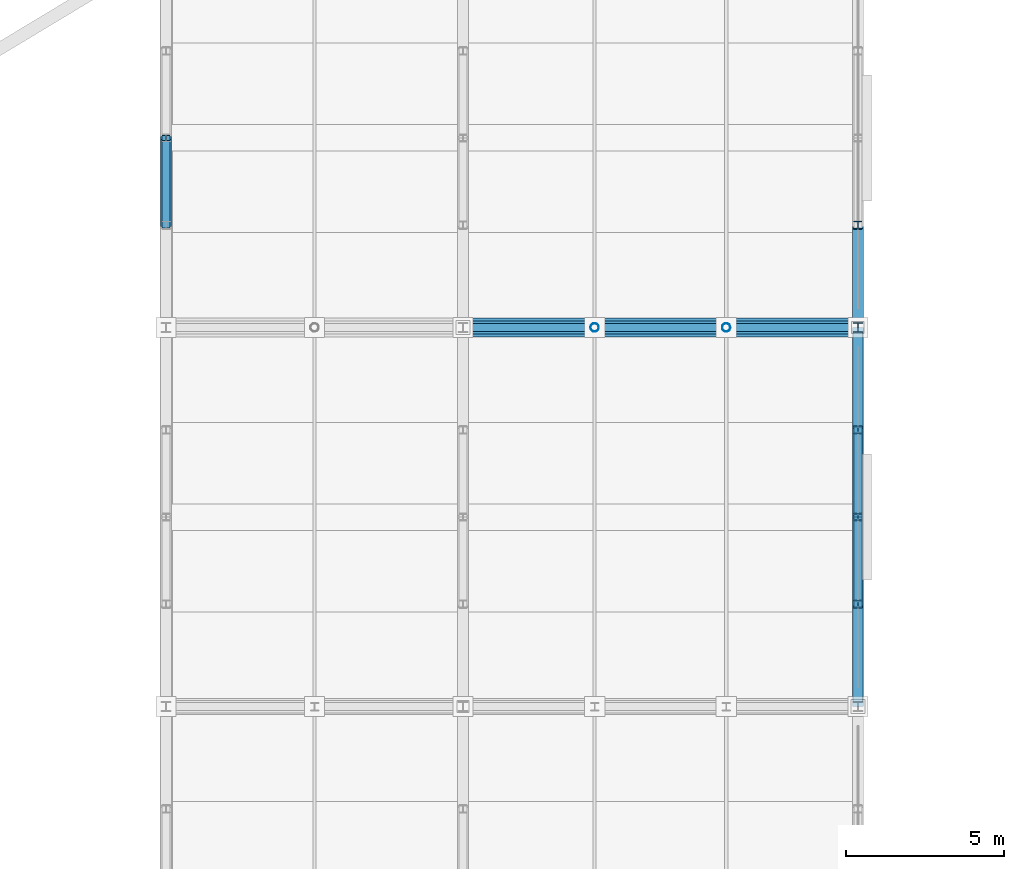
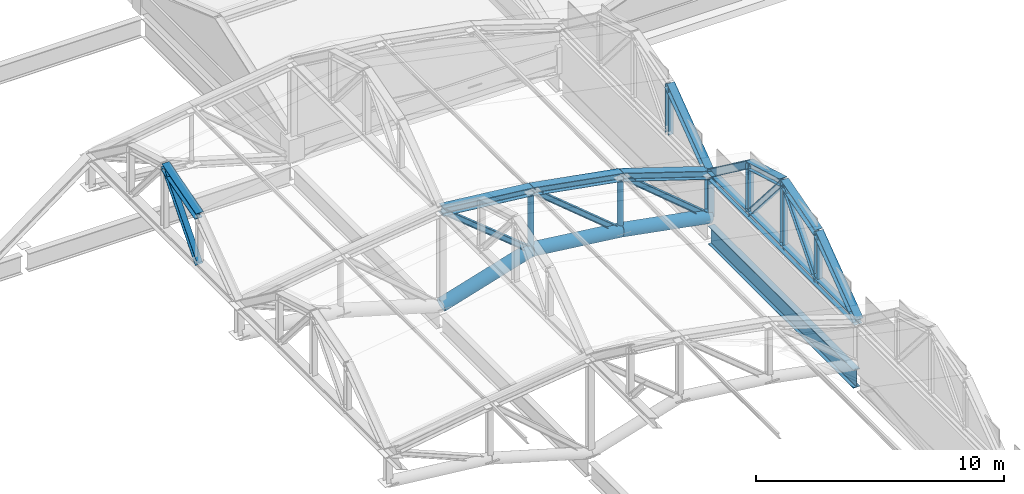
# One storey, part 73 of 117: 26 members, 1 beam.
"""IFC4 building model written with IfcOpenShell, lengths in metres."""

from ifc_helpers import new_model, si_unit, direction, frame, origin, origin_2d, place, context, subcontext, project, spatial, hollow_circle, i_section, extrude, material, material_profile, profile_set, type_object, element, save


model = new_model("IFC4")

# Units and contexts
model_context = context("Model", 3, precision=1e-05, world=origin(), true_north=direction((0.0, 1.0)))
body_context = subcontext(model_context, "Body", "Model", "MODEL_VIEW")
ifc_project = project(units=[si_unit("LENGTHUNIT", "METRE"), si_unit("AREAUNIT", "SQUARE_METRE"), si_unit("VOLUMEUNIT", "CUBIC_METRE"), si_unit("PLANEANGLEUNIT", "RADIAN"), si_unit("MASSUNIT", "GRAM", prefix="KILO")], contexts=[model_context])

# Site, building, storey
site_placement = place(None, origin())
site = spatial("IfcSite", under=ifc_project, at=site_placement, CompositionType="ELEMENT")
building_placement = place(site_placement, origin())
building = spatial("IfcBuilding", under=site, at=building_placement, Name="Kazenohara Klinker Stadium", CompositionType="ELEMENT")
storey_placement = place(building_placement, frame((0.0, 0.0, 31.199951171875)))
storey = spatial("IfcBuildingStorey", under=building, at=storey_placement, Name="RF", CompositionType="ELEMENT", Elevation=31.199951171875)

# Members
ifc_material = material(Name="Steel S355", Category="steel")
ifc_material_profile_1 = material_profile(ifc_material, i_section(OverallWidth=0.25, OverallDepth=0.25, WebThickness=0.009033203125, FlangeThickness=0.013916015625, FilletRadius=0.012939453125, at=origin_2d()), Name="H-250x250x9x14")
ifc_profile_set_1 = profile_set([ifc_material_profile_1], Name="Steel S355")
member_type_1 = type_object("IfcMemberType", Name="MEM-BRC02", PredefinedType="BRACE", material=ifc_profile_set_1)
member_1_placement = place(storey_placement, frame((187.5, 120.0, -0.02001953125), z_axis=(-0.76843159807, 0.0, 0.639931933168), x_axis=(0.0, -1.0, 0.0)))
element("IfcMember", 1, at=member_1_placement, inside=storey, type_object=member_type_1, Name="ROOF TRUSS RT-E07 web diagonal 1", PredefinedType="BRACE", context=body_context, shape_type="SweptSolid", body=[
    extrude(i_section(OverallWidth=0.25, OverallDepth=0.25, WebThickness=0.009033203125, FlangeThickness=0.013916015625, FilletRadius=0.012939453125, at=origin_2d()), origin(), (0.0, 0.0, 1.0), 5.42236328125),
])
member_2_placement = place(storey_placement, frame((183.333251953125, 120.0, 0.75), z_axis=(-0.770229945983, 0.0, 0.637766281887), x_axis=(0.0, -1.0, 0.0)))
element("IfcMember", 2, at=member_2_placement, inside=storey, type_object=member_type_1, Name="ROOF TRUSS RT-E07 web diagonal 2", PredefinedType="BRACE", context=body_context, shape_type="SweptSolid", body=[
    extrude(i_section(OverallWidth=0.25, OverallDepth=0.25, WebThickness=0.009033203125, FlangeThickness=0.013916015625, FilletRadius=0.012939453125, at=origin_2d()), origin(), (0.0, 0.0, 1.0), 5.409423828125),
])
member_3_placement = place(storey_placement, frame((179.166748046875, 120.0, 1.25), z_axis=(-0.774777826172, 0.0, 0.632233596127), x_axis=(0.0, -1.0, 0.0)))
element("IfcMember", 3, at=member_3_placement, inside=storey, type_object=member_type_1, Name="ROOF TRUSS RT-E07 web diagonal 3", PredefinedType="BRACE", context=body_context, shape_type="SweptSolid", body=[
    extrude(i_section(OverallWidth=0.25, OverallDepth=0.25, WebThickness=0.009033203125, FlangeThickness=0.013916015625, FilletRadius=0.012939453125, at=origin_2d()), origin(), (0.0, 0.0, 1.0), 5.3779296875),
])
ifc_material_profile_2 = material_profile(ifc_material, i_section(OverallWidth=0.39990234375, OverallDepth=0.39990234375, WebThickness=0.012939453125, FlangeThickness=0.02099609375, FilletRadius=0.02197265625, at=origin_2d()), Name="H-400x400x13x21")
ifc_profile_set_2 = profile_set([ifc_material_profile_2], Name="Steel S355")
member_type_2 = type_object("IfcMemberType", Name="MEM-CHD01", PredefinedType="CHORD", material=ifc_profile_set_2)
member_4_placement = place(storey_placement, frame((187.5, 120.0, 2.10009765625), z_axis=(-0.951324890397, 0.0, 0.308189800141), x_axis=(0.0, -1.0, 0.0)))
element("IfcMember", 4, at=member_4_placement, inside=storey, type_object=member_type_2, Name="ROOF TRUSS RT-E07 top arched chord 1", PredefinedType="CHORD", context=body_context, shape_type="SweptSolid", body=[
    extrude(i_section(OverallWidth=0.39990234375, OverallDepth=0.39990234375, WebThickness=0.012939453125, FlangeThickness=0.02099609375, FilletRadius=0.02197265625, at=origin_2d()), origin(), (0.0, 0.0, 1.0), 4.3798828125),
])
member_5_placement = place(storey_placement, frame((183.333251953125, 120.0, 3.449951171875), z_axis=(-0.984182117389, 0.0, 0.177159701431), x_axis=(0.0, -1.0, 0.0)))
element("IfcMember", 5, at=member_5_placement, inside=storey, type_object=member_type_2, Name="ROOF TRUSS RT-E07 top arched chord 2", PredefinedType="CHORD", context=body_context, shape_type="SweptSolid", body=[
    extrude(i_section(OverallWidth=0.39990234375, OverallDepth=0.39990234375, WebThickness=0.012939453125, FlangeThickness=0.02099609375, FilletRadius=0.02197265625, at=origin_2d()), origin(), (0.0, 0.0, 1.0), 4.2333984375),
])
member_6_placement = place(storey_placement, frame((179.166748046875, 120.0, 4.199951171875), z_axis=(-0.994213775272, 0.0, 0.107419593461), x_axis=(0.0, -1.0, 0.0)))
element("IfcMember", 6, at=member_6_placement, inside=storey, type_object=member_type_2, Name="ROOF TRUSS RT-E07 top arched chord 3", PredefinedType="CHORD", context=body_context, shape_type="SweptSolid", body=[
    extrude(i_section(OverallWidth=0.39990234375, OverallDepth=0.39990234375, WebThickness=0.012939453125, FlangeThickness=0.02099609375, FilletRadius=0.02197265625, at=origin_2d()), origin(), (0.0, 0.0, 1.0), 4.19091796875),
])
ifc_material_profile_3 = material_profile(ifc_material, i_section(OverallWidth=0.35009765625, OverallDepth=0.35009765625, WebThickness=0.011962890625, FlangeThickness=0.01904296875, FilletRadius=0.012939453125, at=origin_2d()), Name="H-350x350x12x19")
ifc_profile_set_3 = profile_set([ifc_material_profile_3], Name="Steel S355")
member_type_3 = type_object("IfcMemberType", Name="MEM-CHD02", PredefinedType="CHORD", material=ifc_profile_set_3)
member_7_placement = place(storey_placement, frame((187.5, 108.0, 2.10009765625), z_axis=(0.0, 1.0, 0.0), x_axis=(-1.0, 0.0, 0.0)))
element("IfcMember", 7, at=member_7_placement, inside=storey, type_object=member_type_3, Name="Barrel arch tie chord TC02 E-06-N0", PredefinedType="CHORD", context=body_context, shape_type="SweptSolid", body=[
    extrude(i_section(OverallWidth=0.35009765625, OverallDepth=0.35009765625, WebThickness=0.011962890625, FlangeThickness=0.01904296875, FilletRadius=0.012939453125, at=origin_2d()), origin(), (0.0, 0.0, 1.0), 12.0),
])
member_8_placement = place(storey_placement, frame((187.5, 108.0, 2.10009765625), z_axis=(0.0, 0.803567919639, 0.595213069856), x_axis=(-1.0, 0.0, 0.0)))
element("IfcMember", 8, at=member_8_placement, inside=storey, type_object=member_type_3, Name="Barrel arch top rib TC02 E-06-N0-S1", PredefinedType="CHORD", context=body_context, shape_type="SweptSolid", body=[
    extrude(i_section(OverallWidth=0.35009765625, OverallDepth=0.35009765625, WebThickness=0.011962890625, FlangeThickness=0.01904296875, FilletRadius=0.012939453125, at=origin_2d()), origin(), (0.0, 0.0, 1.0), 4.031982421875),
])
for number, where, z_axis, x_axis, name in (
    (9, (187.5, 111.239990234375, 4.5), (0.0, 0.960462085918, 0.27841081429), (-1.0, 0.0, 0.0), "Barrel arch top rib TC02 E-06-N0-S2"),
    (10, (187.5, 114.0, 5.300048828125), (0.0, 0.960462085918, -0.27841081429), (-1.0, 0.0, 0.0), "Barrel arch top rib TC02 E-06-N0-S3"),
):
    element("IfcMember", number, at=place(storey_placement, frame(where, z_axis=z_axis, x_axis=x_axis)), inside=storey, type_object=member_type_3, Name=name, PredefinedType="CHORD", context=body_context, shape_type="SweptSolid", body=[
        extrude(i_section(OverallWidth=0.35009765625, OverallDepth=0.35009765625, WebThickness=0.011962890625, FlangeThickness=0.01904296875, FilletRadius=0.012939453125, at=origin_2d()), origin(), (0.0, 0.0, 1.0), 2.87353515625),
    ])
for number, where, z_axis, x_axis, name in (
    (11, (187.5, 116.760009765625, 4.5), (0.0, 0.803567919639, -0.595213069856), (-1.0, 0.0, 0.0), "Barrel arch top rib TC02 E-06-N0-S4"),
    (12, (187.5, 120.0, 2.10009765625), (0.0, 0.803567919639, 0.595213069856), (-1.0, 0.0, 0.0), "Barrel arch top rib TC02 E-07-N0-S1"),
):
    element("IfcMember", number, at=place(storey_placement, frame(where, z_axis=z_axis, x_axis=x_axis)), inside=storey, type_object=member_type_3, Name=name, PredefinedType="CHORD", context=body_context, shape_type="SweptSolid", body=[
        extrude(i_section(OverallWidth=0.35009765625, OverallDepth=0.35009765625, WebThickness=0.011962890625, FlangeThickness=0.01904296875, FilletRadius=0.012939453125, at=origin_2d()), origin(), (0.0, 0.0, 1.0), 4.031982421875),
    ])
member_9_placement = place(storey_placement, frame((165.60009765625, 123.239990234375, 5.699951171875), z_axis=(0.0, 0.960462085918, 0.27841081429), x_axis=(-1.0, 0.0, 0.0)))
element("IfcMember", 13, at=member_9_placement, inside=storey, type_object=member_type_3, Name="Barrel arch top rib TC02 E-07-N5-S2", PredefinedType="CHORD", context=body_context, shape_type="SweptSolid", body=[
    extrude(i_section(OverallWidth=0.35009765625, OverallDepth=0.35009765625, WebThickness=0.011962890625, FlangeThickness=0.01904296875, FilletRadius=0.012939453125, at=origin_2d()), origin(), (0.0, 0.0, 1.0), 2.87353515625),
])
ifc_material_profile_4 = material_profile(ifc_material, hollow_circle(Radius=0.3046875, WallThickness=0.01611328125, at=origin_2d()), Name="CHS-609.6x16")
ifc_profile_set_4 = profile_set([ifc_material_profile_4], Name="Steel S355")
member_type_4 = type_object("IfcMemberType", Name="MEM-CHD05", PredefinedType="CHORD", material=ifc_profile_set_4)
member_10_placement = place(storey_placement, frame((187.5, 120.0, -0.02001953125), z_axis=(-0.983349564566, 0.0, 0.181724059685), x_axis=(0.0, -1.0, 0.0)))
element("IfcMember", 14, at=member_10_placement, inside=storey, type_object=member_type_4, Name="ROOF TRUSS RT-E07 bottom arched chord 1", PredefinedType="CHORD", context=body_context, shape_type="SweptSolid", body=[
    extrude(hollow_circle(Radius=0.3046875, WallThickness=0.01611328125, at=origin_2d()), origin(), (0.0, 0.0, 1.0), 4.2373046875),
])
member_11_placement = place(storey_placement, frame((183.333251953125, 120.0, 0.75), z_axis=(-0.99287628789, 0.0, 0.119149808836), x_axis=(0.0, -1.0, 0.0)))
element("IfcMember", 15, at=member_11_placement, inside=storey, type_object=member_type_4, Name="ROOF TRUSS RT-E07 bottom arched chord 2", PredefinedType="CHORD", context=body_context, shape_type="SweptSolid", body=[
    extrude(hollow_circle(Radius=0.3046875, WallThickness=0.01611328125, at=origin_2d()), origin(), (0.0, 0.0, 1.0), 4.1962890625),
])
member_12_placement = place(storey_placement, frame((179.166748046875, 120.0, 1.25), z_axis=(-0.956553656775, 0.0, -0.291556343971), x_axis=(0.0, -1.0, 0.0)))
element("IfcMember", 16, at=member_12_placement, inside=storey, type_object=member_type_4, Name="ROOF TRUSS RT-E07 bottom arched chord 3", PredefinedType="CHORD", context=body_context, shape_type="SweptSolid", body=[
    extrude(hollow_circle(Radius=0.3046875, WallThickness=0.01611328125, at=origin_2d()), origin(), (0.0, 0.0, 1.0), 4.35595703125),
])
ifc_material_profile_5 = material_profile(ifc_material, i_section(OverallWidth=0.300048828125, OverallDepth=0.300048828125, WebThickness=0.010009765625, FlangeThickness=0.014892578125, FilletRadius=0.012939453125, at=origin_2d()), Name="H-300x300x10x15")
ifc_profile_set_5 = profile_set([ifc_material_profile_5], Name="Steel S355")
member_type_5 = type_object("IfcMemberType", Name="MEM-STR01", PredefinedType="STRUT", material=ifc_profile_set_5)
member_13_placement = place(storey_placement, frame((187.5, 120.0, -0.02001953125), z_axis=(0.0, 0.0, 1.0), x_axis=(1.0, 0.0, 0.0)))
element("IfcMember", 17, at=member_13_placement, inside=storey, type_object=member_type_5, Name="ROOF TRUSS RT-E07 web post 1", PredefinedType="STRUT", context=body_context, shape_type="SweptSolid", body=[
    extrude(i_section(OverallWidth=0.300048828125, OverallDepth=0.300048828125, WebThickness=0.010009765625, FlangeThickness=0.014892578125, FilletRadius=0.012939453125, at=origin_2d()), origin(), (0.0, 0.0, 1.0), 2.1201171875),
])
ifc_material_profile_6 = material_profile(ifc_material, i_section(OverallWidth=0.25, OverallDepth=0.25, WebThickness=0.009033203125, FlangeThickness=0.013916015625, FilletRadius=0.012939453125, at=origin_2d()), Name="H-250x250x9x14")
ifc_profile_set_6 = profile_set([ifc_material_profile_6], Name="Steel S355")
member_type_6 = type_object("IfcMemberType", Name="MEM-STR02", PredefinedType="STRUT", material=ifc_profile_set_6)
member_14_placement = place(storey_placement, frame((187.5, 111.239990234375, 2.10009765625), z_axis=(0.0, 0.0, 1.0), x_axis=(1.0, 0.0, 0.0)))
element("IfcMember", 18, at=member_14_placement, inside=storey, type_object=member_type_6, Name="Barrel arch web post TS02 E-06-N0-P1", PredefinedType="STRUT", context=body_context, shape_type="SweptSolid", body=[
    extrude(i_section(OverallWidth=0.25, OverallDepth=0.25, WebThickness=0.009033203125, FlangeThickness=0.013916015625, FilletRadius=0.012939453125, at=origin_2d()), origin(), (0.0, 0.0, 1.0), 2.39990234375),
])
member_15_placement = place(storey_placement, frame((187.5, 114.0, 2.10009765625), z_axis=(0.0, 0.0, 1.0), x_axis=(1.0, 0.0, 0.0)))
element("IfcMember", 19, at=member_15_placement, inside=storey, type_object=member_type_6, Name="Barrel arch web post TS02 E-06-N0-P2", PredefinedType="STRUT", context=body_context, shape_type="SweptSolid", body=[
    extrude(i_section(OverallWidth=0.25, OverallDepth=0.25, WebThickness=0.009033203125, FlangeThickness=0.013916015625, FilletRadius=0.012939453125, at=origin_2d()), origin(), (0.0, 0.0, 1.0), 3.199951171875),
])
member_16_placement = place(storey_placement, frame((187.5, 116.760009765625, 2.10009765625), z_axis=(0.0, 0.0, 1.0), x_axis=(1.0, 0.0, 0.0)))
element("IfcMember", 20, at=member_16_placement, inside=storey, type_object=member_type_6, Name="Barrel arch web post TS02 E-06-N0-P3", PredefinedType="STRUT", context=body_context, shape_type="SweptSolid", body=[
    extrude(i_section(OverallWidth=0.25, OverallDepth=0.25, WebThickness=0.009033203125, FlangeThickness=0.013916015625, FilletRadius=0.012939453125, at=origin_2d()), origin(), (0.0, 0.0, 1.0), 2.39990234375),
])
for number, where, z_axis, x_axis, name in (
    (21, (187.5, 111.239990234375, 2.10009765625), (0.0, 0.653133887971, 0.757242447558), (-1.0, 0.0, 0.0), "Barrel arch web diagonal TS02 E-06-N0-D1"),
    (22, (187.5, 116.760009765625, 2.10009765625), (0.0, -0.653133887971, 0.757242447558), (1.0, 0.0, 0.0), "Barrel arch web diagonal TS02 E-06-N0-D2"),
):
    element("IfcMember", number, at=place(storey_placement, frame(where, z_axis=z_axis, x_axis=x_axis)), inside=storey, type_object=member_type_6, Name=name, PredefinedType="STRUT", context=body_context, shape_type="SweptSolid", body=[
        extrude(i_section(OverallWidth=0.25, OverallDepth=0.25, WebThickness=0.009033203125, FlangeThickness=0.013916015625, FilletRadius=0.012939453125, at=origin_2d()), origin(), (0.0, 0.0, 1.0), 4.225830078125),
    ])
member_17_placement = place(storey_placement, frame((187.5, 123.239990234375, 2.10009765625), z_axis=(0.0, 0.0, 1.0), x_axis=(1.0, 0.0, 0.0)))
element("IfcMember", 23, at=member_17_placement, inside=storey, type_object=member_type_6, Name="Barrel arch web post TS02 E-07-N0-P1", PredefinedType="STRUT", context=body_context, shape_type="SweptSolid", body=[
    extrude(i_section(OverallWidth=0.25, OverallDepth=0.25, WebThickness=0.009033203125, FlangeThickness=0.013916015625, FilletRadius=0.012939453125, at=origin_2d()), origin(), (0.0, 0.0, 1.0), 2.39990234375),
])
member_18_placement = place(storey_placement, frame((165.60009765625, 123.239990234375, 3.300048828125), z_axis=(0.0, 0.653133887971, 0.757242447558), x_axis=(-1.0, 0.0, 0.0)))
element("IfcMember", 24, at=member_18_placement, inside=storey, type_object=member_type_6, Name="Barrel arch web diagonal TS02 E-07-N5-D1", PredefinedType="STRUT", context=body_context, shape_type="SweptSolid", body=[
    extrude(i_section(OverallWidth=0.25, OverallDepth=0.25, WebThickness=0.009033203125, FlangeThickness=0.013916015625, FilletRadius=0.012939453125, at=origin_2d()), origin(), (0.0, 0.0, 1.0), 4.225830078125),
])
ifc_material_profile_7 = material_profile(ifc_material, hollow_circle(Radius=0.1337890625, WallThickness=0.009033203125, at=origin_2d()), Name="CHS-267.4x9")
ifc_profile_set_7 = profile_set([ifc_material_profile_7], Name="Steel S355")
member_type_7 = type_object("IfcMemberType", Name="MEM-STR03", PredefinedType="STRUT", material=ifc_profile_set_7)
member_19_placement = place(storey_placement, frame((183.333251953125, 120.0, 0.75), z_axis=(0.0, 0.0, 1.0), x_axis=(1.0, 0.0, 0.0)))
element("IfcMember", 25, at=member_19_placement, inside=storey, type_object=member_type_7, Name="ROOF TRUSS RT-E07 web post 2", PredefinedType="STRUT", context=body_context, shape_type="SweptSolid", body=[
    extrude(hollow_circle(Radius=0.1337890625, WallThickness=0.009033203125, at=origin_2d()), origin(), (0.0, 0.0, 1.0), 2.699951171875),
])
member_20_placement = place(storey_placement, frame((179.166748046875, 120.0, 1.25), z_axis=(0.0, 0.0, 1.0), x_axis=(1.0, 0.0, 0.0)))
element("IfcMember", 26, at=member_20_placement, inside=storey, type_object=member_type_7, Name="ROOF TRUSS RT-E07 web post 3", PredefinedType="STRUT", context=body_context, shape_type="SweptSolid", body=[
    extrude(hollow_circle(Radius=0.1337890625, WallThickness=0.009033203125, at=origin_2d()), origin(), (0.0, 0.0, 1.0), 2.949951171875),
])

# Beam
ifc_material_profile_8 = material_profile(ifc_material, i_section(OverallWidth=0.300048828125, OverallDepth=0.89990234375, WebThickness=0.01611328125, FlangeThickness=0.028076171875, FilletRadius=0.02197265625, at=origin_2d()), Name="H-900x300x16x28")
ifc_profile_set_8 = profile_set([ifc_material_profile_8], Name="Steel S355")
beam_type = type_object("IfcBeamType", Name="RING-RB01", PredefinedType="USERDEFINED", material=ifc_profile_set_8)
beam_placement = place(storey_placement, frame((187.5, 108.139892578125, -0.820068359375), z_axis=(0.0, 1.0, 0.0), x_axis=(-1.0, 0.0, 0.0)))
element("IfcBeam", 27, at=beam_placement, inside=storey, type_object=beam_type, Name="Roof ring beam RB01 E-OUT K-L", ObjectType="RING BEAM", PredefinedType="USERDEFINED", context=body_context, shape_type="SweptSolid", body=[
    extrude(i_section(OverallWidth=0.300048828125, OverallDepth=0.89990234375, WebThickness=0.01611328125, FlangeThickness=0.028076171875, FilletRadius=0.02197265625, at=origin_2d()), origin(), (0.0, 0.0, 1.0), 11.72021484375),
])

save(model, "model.ifc")
